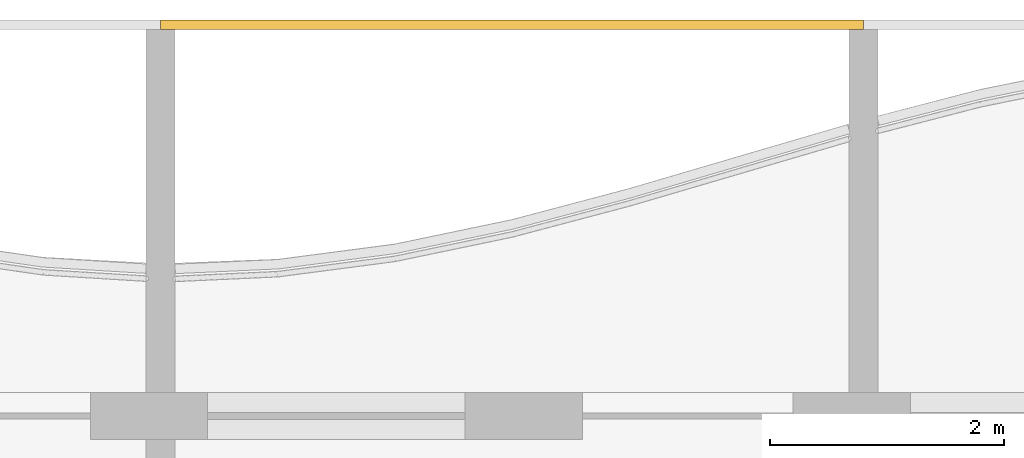
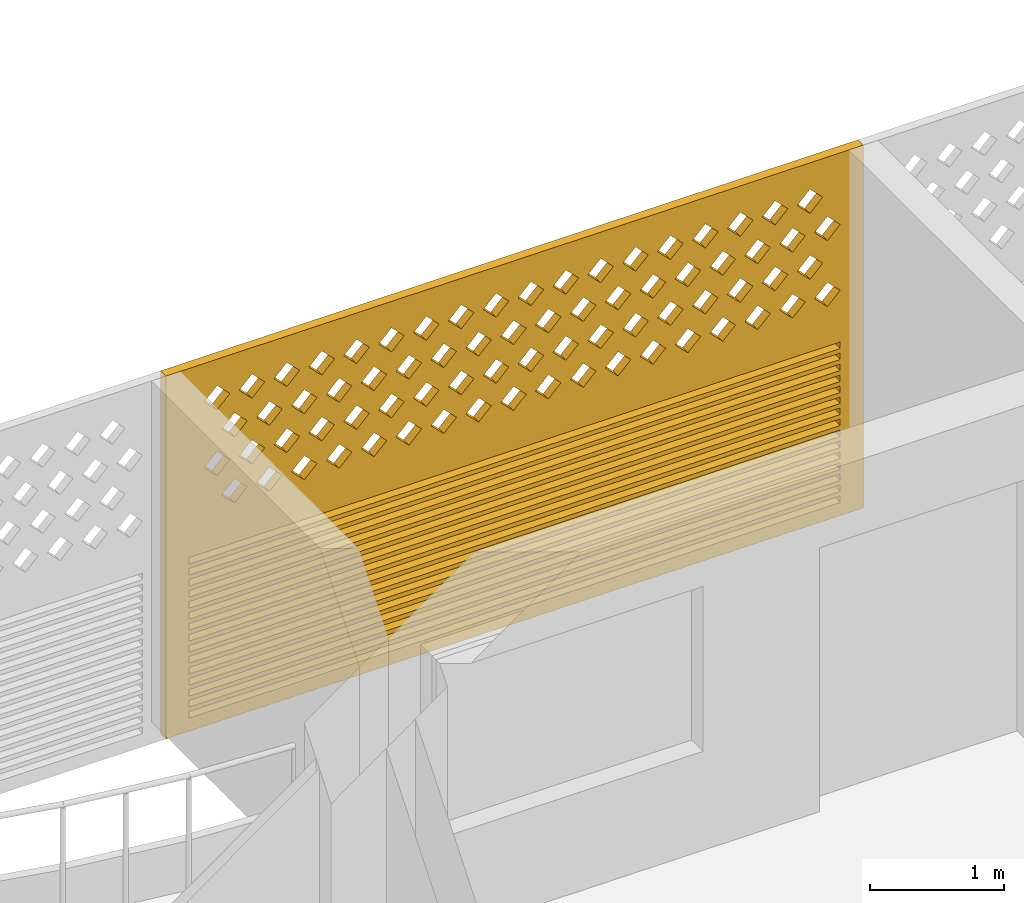
# One storey, part 24 of 26: 1 covering.
"""IFC4 building model written with IfcOpenShell, lengths in metres."""

from ifc_helpers import new_model, si_unit, direction, frame, origin, place, context, subcontext, project, spatial, polyline, outline, extrude, source, transform, mapped, material, material_profile, profile_set, type_object, element, save


model = new_model("IFC4")

# Units and contexts
model_context = context("Model", 3, precision=1e-05, world=origin(), true_north=direction((0.0, 1.0)))
body_context = subcontext(model_context, "Body", "Model", "MODEL_VIEW")
ifc_project = project(units=[si_unit("LENGTHUNIT", "METRE"), si_unit("AREAUNIT", "SQUARE_METRE"), si_unit("VOLUMEUNIT", "CUBIC_METRE"), si_unit("PLANEANGLEUNIT", "RADIAN"), si_unit("MASSUNIT", "GRAM", prefix="KILO")], contexts=[model_context])

# Site, building, storey
site_placement = place(None, origin())
site = spatial("IfcSite", under=ifc_project, at=site_placement, CompositionType="ELEMENT")
building_placement = place(site_placement, origin())
building = spatial("IfcBuilding", under=site, at=building_placement, Name="Poui Terraces", CompositionType="ELEMENT")
storey_placement = place(building_placement, frame((0.0, 0.0, 244.5)))
storey = spatial("IfcBuildingStorey", under=building, at=storey_placement, Name="L68", CompositionType="ELEMENT", Elevation=244.5)

# Covering
ifc_material = material(Name="Terracotta screen", Category="masonry")
ifc_material_profile = material_profile(ifc_material, outline(polyline([(-3.0, -1.64990234375), (3.0, -1.64990234375), (3.0, 1.64990234375), (-3.0, 1.64990234375), (-3.0, -1.64990234375)]), holes=[polyline([(-2.800048828125, 0.39990234375), (-2.68994140625, 0.2900390625), (-2.580078125, 0.39990234375), (-2.68994140625, 0.510009765625), (-2.800048828125, 0.39990234375)]), polyline([(-2.5, 0.39990234375), (-2.389892578125, 0.2900390625), (-2.280029296875, 0.39990234375), (-2.389892578125, 0.510009765625), (-2.5, 0.39990234375)]), polyline([(-2.199951171875, 0.39990234375), (-2.090087890625, 0.2900390625), (-1.97998046875, 0.39990234375), (-2.090087890625, 0.510009765625), (-2.199951171875, 0.39990234375)]), polyline([(-1.89990234375, 0.39990234375), (-1.7900390625, 0.2900390625), (-1.679931640625, 0.39990234375), (-1.7900390625, 0.510009765625), (-1.89990234375, 0.39990234375)]), polyline([(-1.60009765625, 0.39990234375), (-1.489990234375, 0.2900390625), (-1.3798828125, 0.39990234375), (-1.489990234375, 0.510009765625), (-1.60009765625, 0.39990234375)]), polyline([(-1.300048828125, 0.39990234375), (-1.18994140625, 0.2900390625), (-1.080078125, 0.39990234375), (-1.18994140625, 0.510009765625), (-1.300048828125, 0.39990234375)]), polyline([(-1.0, 0.39990234375), (-0.889892578125, 0.2900390625), (-0.780029296875, 0.39990234375), (-0.889892578125, 0.510009765625), (-1.0, 0.39990234375)]), polyline([(-0.699951171875, 0.39990234375), (-0.590087890625, 0.2900390625), (-0.47998046875, 0.39990234375), (-0.590087890625, 0.510009765625), (-0.699951171875, 0.39990234375)]), polyline([(-0.39990234375, 0.39990234375), (-0.2900390625, 0.2900390625), (-0.179931640625, 0.39990234375), (-0.2900390625, 0.510009765625), (-0.39990234375, 0.39990234375)]), polyline([(-0.10009765625, 0.39990234375), (0.010009765625, 0.2900390625), (0.1201171875, 0.39990234375), (0.010009765625, 0.510009765625), (-0.10009765625, 0.39990234375)]), polyline([(0.199951171875, 0.39990234375), (0.31005859375, 0.2900390625), (0.419921875, 0.39990234375), (0.31005859375, 0.510009765625), (0.199951171875, 0.39990234375)]), polyline([(0.5, 0.39990234375), (0.610107421875, 0.2900390625), (0.719970703125, 0.39990234375), (0.610107421875, 0.510009765625), (0.5, 0.39990234375)]), polyline([(0.800048828125, 0.39990234375), (0.909912109375, 0.2900390625), (1.02001953125, 0.39990234375), (0.909912109375, 0.510009765625), (0.800048828125, 0.39990234375)]), polyline([(1.10009765625, 0.39990234375), (1.2099609375, 0.2900390625), (1.320068359375, 0.39990234375), (1.2099609375, 0.510009765625), (1.10009765625, 0.39990234375)]), polyline([(1.39990234375, 0.39990234375), (1.510009765625, 0.2900390625), (1.6201171875, 0.39990234375), (1.510009765625, 0.510009765625), (1.39990234375, 0.39990234375)]), polyline([(1.699951171875, 0.39990234375), (1.81005859375, 0.2900390625), (1.919921875, 0.39990234375), (1.81005859375, 0.510009765625), (1.699951171875, 0.39990234375)]), polyline([(2.0, 0.39990234375), (2.110107421875, 0.2900390625), (2.219970703125, 0.39990234375), (2.110107421875, 0.510009765625), (2.0, 0.39990234375)]), polyline([(2.300048828125, 0.39990234375), (2.409912109375, 0.2900390625), (2.52001953125, 0.39990234375), (2.409912109375, 0.510009765625), (2.300048828125, 0.39990234375)]), polyline([(-2.64990234375, 0.699951171875), (-2.5400390625, 0.590087890625), (-2.429931640625, 0.699951171875), (-2.5400390625, 0.81005859375), (-2.64990234375, 0.699951171875)]), polyline([(-2.35009765625, 0.699951171875), (-2.239990234375, 0.590087890625), (-2.1298828125, 0.699951171875), (-2.239990234375, 0.81005859375), (-2.35009765625, 0.699951171875)]), polyline([(-2.050048828125, 0.699951171875), (-1.93994140625, 0.590087890625), (-1.830078125, 0.699951171875), (-1.93994140625, 0.81005859375), (-2.050048828125, 0.699951171875)]), polyline([(-1.75, 0.699951171875), (-1.639892578125, 0.590087890625), (-1.530029296875, 0.699951171875), (-1.639892578125, 0.81005859375), (-1.75, 0.699951171875)]), polyline([(-1.449951171875, 0.699951171875), (-1.340087890625, 0.590087890625), (-1.22998046875, 0.699951171875), (-1.340087890625, 0.81005859375), (-1.449951171875, 0.699951171875)]), polyline([(-1.14990234375, 0.699951171875), (-1.0400390625, 0.590087890625), (-0.929931640625, 0.699951171875), (-1.0400390625, 0.81005859375), (-1.14990234375, 0.699951171875)]), polyline([(-0.85009765625, 0.699951171875), (-0.739990234375, 0.590087890625), (-0.6298828125, 0.699951171875), (-0.739990234375, 0.81005859375), (-0.85009765625, 0.699951171875)]), polyline([(-0.550048828125, 0.699951171875), (-0.43994140625, 0.590087890625), (-0.330078125, 0.699951171875), (-0.43994140625, 0.81005859375), (-0.550048828125, 0.699951171875)]), polyline([(-0.25, 0.699951171875), (-0.139892578125, 0.590087890625), (-0.030029296875, 0.699951171875), (-0.139892578125, 0.81005859375), (-0.25, 0.699951171875)]), polyline([(0.050048828125, 0.699951171875), (0.159912109375, 0.590087890625), (0.27001953125, 0.699951171875), (0.159912109375, 0.81005859375), (0.050048828125, 0.699951171875)]), polyline([(0.35009765625, 0.699951171875), (0.4599609375, 0.590087890625), (0.570068359375, 0.699951171875), (0.4599609375, 0.81005859375), (0.35009765625, 0.699951171875)]), polyline([(0.64990234375, 0.699951171875), (0.760009765625, 0.590087890625), (0.8701171875, 0.699951171875), (0.760009765625, 0.81005859375), (0.64990234375, 0.699951171875)]), polyline([(0.949951171875, 0.699951171875), (1.06005859375, 0.590087890625), (1.169921875, 0.699951171875), (1.06005859375, 0.81005859375), (0.949951171875, 0.699951171875)]), polyline([(1.25, 0.699951171875), (1.360107421875, 0.590087890625), (1.469970703125, 0.699951171875), (1.360107421875, 0.81005859375), (1.25, 0.699951171875)]), polyline([(1.550048828125, 0.699951171875), (1.659912109375, 0.590087890625), (1.77001953125, 0.699951171875), (1.659912109375, 0.81005859375), (1.550048828125, 0.699951171875)]), polyline([(1.85009765625, 0.699951171875), (1.9599609375, 0.590087890625), (2.070068359375, 0.699951171875), (1.9599609375, 0.81005859375), (1.85009765625, 0.699951171875)]), polyline([(2.14990234375, 0.699951171875), (2.260009765625, 0.590087890625), (2.3701171875, 0.699951171875), (2.260009765625, 0.81005859375), (2.14990234375, 0.699951171875)]), polyline([(2.449951171875, 0.699951171875), (2.56005859375, 0.590087890625), (2.669921875, 0.699951171875), (2.56005859375, 0.81005859375), (2.449951171875, 0.699951171875)]), polyline([(-2.800048828125, 1.0), (-2.68994140625, 0.889892578125), (-2.580078125, 1.0), (-2.68994140625, 1.110107421875), (-2.800048828125, 1.0)]), polyline([(-2.5, 1.0), (-2.389892578125, 0.889892578125), (-2.280029296875, 1.0), (-2.389892578125, 1.110107421875), (-2.5, 1.0)]), polyline([(-2.199951171875, 1.0), (-2.090087890625, 0.889892578125), (-1.97998046875, 1.0), (-2.090087890625, 1.110107421875), (-2.199951171875, 1.0)]), polyline([(-1.89990234375, 1.0), (-1.7900390625, 0.889892578125), (-1.679931640625, 1.0), (-1.7900390625, 1.110107421875), (-1.89990234375, 1.0)]), polyline([(-1.60009765625, 1.0), (-1.489990234375, 0.889892578125), (-1.3798828125, 1.0), (-1.489990234375, 1.110107421875), (-1.60009765625, 1.0)]), polyline([(-1.300048828125, 1.0), (-1.18994140625, 0.889892578125), (-1.080078125, 1.0), (-1.18994140625, 1.110107421875), (-1.300048828125, 1.0)]), polyline([(-1.0, 1.0), (-0.889892578125, 0.889892578125), (-0.780029296875, 1.0), (-0.889892578125, 1.110107421875), (-1.0, 1.0)]), polyline([(-0.699951171875, 1.0), (-0.590087890625, 0.889892578125), (-0.47998046875, 1.0), (-0.590087890625, 1.110107421875), (-0.699951171875, 1.0)]), polyline([(-0.39990234375, 1.0), (-0.2900390625, 0.889892578125), (-0.179931640625, 1.0), (-0.2900390625, 1.110107421875), (-0.39990234375, 1.0)]), polyline([(-0.10009765625, 1.0), (0.010009765625, 0.889892578125), (0.1201171875, 1.0), (0.010009765625, 1.110107421875), (-0.10009765625, 1.0)]), polyline([(0.199951171875, 1.0), (0.31005859375, 0.889892578125), (0.419921875, 1.0), (0.31005859375, 1.110107421875), (0.199951171875, 1.0)]), polyline([(0.5, 1.0), (0.610107421875, 0.889892578125), (0.719970703125, 1.0), (0.610107421875, 1.110107421875), (0.5, 1.0)]), polyline([(0.800048828125, 1.0), (0.909912109375, 0.889892578125), (1.02001953125, 1.0), (0.909912109375, 1.110107421875), (0.800048828125, 1.0)]), polyline([(1.10009765625, 1.0), (1.2099609375, 0.889892578125), (1.320068359375, 1.0), (1.2099609375, 1.110107421875), (1.10009765625, 1.0)]), polyline([(1.39990234375, 1.0), (1.510009765625, 0.889892578125), (1.6201171875, 1.0), (1.510009765625, 1.110107421875), (1.39990234375, 1.0)]), polyline([(1.699951171875, 1.0), (1.81005859375, 0.889892578125), (1.919921875, 1.0), (1.81005859375, 1.110107421875), (1.699951171875, 1.0)]), polyline([(2.0, 1.0), (2.110107421875, 0.889892578125), (2.219970703125, 1.0), (2.110107421875, 1.110107421875), (2.0, 1.0)]), polyline([(2.300048828125, 1.0), (2.409912109375, 0.889892578125), (2.52001953125, 1.0), (2.409912109375, 1.110107421875), (2.300048828125, 1.0)]), polyline([(-2.64990234375, 1.300048828125), (-2.5400390625, 1.18994140625), (-2.429931640625, 1.300048828125), (-2.5400390625, 1.409912109375), (-2.64990234375, 1.300048828125)]), polyline([(-2.35009765625, 1.300048828125), (-2.239990234375, 1.18994140625), (-2.1298828125, 1.300048828125), (-2.239990234375, 1.409912109375), (-2.35009765625, 1.300048828125)]), polyline([(-2.050048828125, 1.300048828125), (-1.93994140625, 1.18994140625), (-1.830078125, 1.300048828125), (-1.93994140625, 1.409912109375), (-2.050048828125, 1.300048828125)]), polyline([(-1.75, 1.300048828125), (-1.639892578125, 1.18994140625), (-1.530029296875, 1.300048828125), (-1.639892578125, 1.409912109375), (-1.75, 1.300048828125)]), polyline([(-1.449951171875, 1.300048828125), (-1.340087890625, 1.18994140625), (-1.22998046875, 1.300048828125), (-1.340087890625, 1.409912109375), (-1.449951171875, 1.300048828125)]), polyline([(-1.14990234375, 1.300048828125), (-1.0400390625, 1.18994140625), (-0.929931640625, 1.300048828125), (-1.0400390625, 1.409912109375), (-1.14990234375, 1.300048828125)]), polyline([(-0.85009765625, 1.300048828125), (-0.739990234375, 1.18994140625), (-0.6298828125, 1.300048828125), (-0.739990234375, 1.409912109375), (-0.85009765625, 1.300048828125)]), polyline([(-0.550048828125, 1.300048828125), (-0.43994140625, 1.18994140625), (-0.330078125, 1.300048828125), (-0.43994140625, 1.409912109375), (-0.550048828125, 1.300048828125)]), polyline([(-0.25, 1.300048828125), (-0.139892578125, 1.18994140625), (-0.030029296875, 1.300048828125), (-0.139892578125, 1.409912109375), (-0.25, 1.300048828125)]), polyline([(0.050048828125, 1.300048828125), (0.159912109375, 1.18994140625), (0.27001953125, 1.300048828125), (0.159912109375, 1.409912109375), (0.050048828125, 1.300048828125)]), polyline([(0.35009765625, 1.300048828125), (0.4599609375, 1.18994140625), (0.570068359375, 1.300048828125), (0.4599609375, 1.409912109375), (0.35009765625, 1.300048828125)]), polyline([(0.64990234375, 1.300048828125), (0.760009765625, 1.18994140625), (0.8701171875, 1.300048828125), (0.760009765625, 1.409912109375), (0.64990234375, 1.300048828125)]), polyline([(0.949951171875, 1.300048828125), (1.06005859375, 1.18994140625), (1.169921875, 1.300048828125), (1.06005859375, 1.409912109375), (0.949951171875, 1.300048828125)]), polyline([(1.25, 1.300048828125), (1.360107421875, 1.18994140625), (1.469970703125, 1.300048828125), (1.360107421875, 1.409912109375), (1.25, 1.300048828125)]), polyline([(1.550048828125, 1.300048828125), (1.659912109375, 1.18994140625), (1.77001953125, 1.300048828125), (1.659912109375, 1.409912109375), (1.550048828125, 1.300048828125)]), polyline([(1.85009765625, 1.300048828125), (1.9599609375, 1.18994140625), (2.070068359375, 1.300048828125), (1.9599609375, 1.409912109375), (1.85009765625, 1.300048828125)]), polyline([(2.14990234375, 1.300048828125), (2.260009765625, 1.18994140625), (2.3701171875, 1.300048828125), (2.260009765625, 1.409912109375), (2.14990234375, 1.300048828125)]), polyline([(2.449951171875, 1.300048828125), (2.56005859375, 1.18994140625), (2.669921875, 1.300048828125), (2.56005859375, 1.409912109375), (2.449951171875, 1.300048828125)]), polyline([(-2.800048828125, -1.530029296875), (2.800048828125, -1.530029296875), (2.800048828125, -1.469970703125), (-2.800048828125, -1.469970703125), (-2.800048828125, -1.530029296875)]), polyline([(-2.800048828125, -1.429931640625), (2.800048828125, -1.429931640625), (2.800048828125, -1.3701171875), (-2.800048828125, -1.3701171875), (-2.800048828125, -1.429931640625)]), polyline([(-2.800048828125, -1.330078125), (2.800048828125, -1.330078125), (2.800048828125, -1.27001953125), (-2.800048828125, -1.27001953125), (-2.800048828125, -1.330078125)]), polyline([(-2.800048828125, -1.22998046875), (2.800048828125, -1.22998046875), (2.800048828125, -1.169921875), (-2.800048828125, -1.169921875), (-2.800048828125, -1.22998046875)]), polyline([(-2.800048828125, -1.1298828125), (2.800048828125, -1.1298828125), (2.800048828125, -1.070068359375), (-2.800048828125, -1.070068359375), (-2.800048828125, -1.1298828125)]), polyline([(-2.800048828125, -1.030029296875), (2.800048828125, -1.030029296875), (2.800048828125, -0.969970703125), (-2.800048828125, -0.969970703125), (-2.800048828125, -1.030029296875)]), polyline([(-2.800048828125, -0.929931640625), (2.800048828125, -0.929931640625), (2.800048828125, -0.8701171875), (-2.800048828125, -0.8701171875), (-2.800048828125, -0.929931640625)]), polyline([(-2.800048828125, -0.830078125), (2.800048828125, -0.830078125), (2.800048828125, -0.77001953125), (-2.800048828125, -0.77001953125), (-2.800048828125, -0.830078125)]), polyline([(-2.800048828125, -0.72998046875), (2.800048828125, -0.72998046875), (2.800048828125, -0.669921875), (-2.800048828125, -0.669921875), (-2.800048828125, -0.72998046875)]), polyline([(-2.800048828125, -0.6298828125), (2.800048828125, -0.6298828125), (2.800048828125, -0.570068359375), (-2.800048828125, -0.570068359375), (-2.800048828125, -0.6298828125)]), polyline([(-2.800048828125, -0.530029296875), (2.800048828125, -0.530029296875), (2.800048828125, -0.469970703125), (-2.800048828125, -0.469970703125), (-2.800048828125, -0.530029296875)]), polyline([(-2.800048828125, -0.429931640625), (2.800048828125, -0.429931640625), (2.800048828125, -0.3701171875), (-2.800048828125, -0.3701171875), (-2.800048828125, -0.429931640625)]), polyline([(-2.800048828125, -0.330078125), (2.800048828125, -0.330078125), (2.800048828125, -0.27001953125), (-2.800048828125, -0.27001953125), (-2.800048828125, -0.330078125)]), polyline([(-2.800048828125, -0.22998046875), (2.800048828125, -0.22998046875), (2.800048828125, -0.169921875), (-2.800048828125, -0.169921875), (-2.800048828125, -0.22998046875)]), polyline([(-2.800048828125, -0.1298828125), (2.800048828125, -0.1298828125), (2.800048828125, -0.070068359375), (-2.800048828125, -0.070068359375), (-2.800048828125, -0.1298828125)])]), Name="TERRACOTTA SCREEN AND JALOUSIE LOUVRE 6000X3300")
ifc_profile_set = profile_set([ifc_material_profile], Name="Terracotta screen")
covering_type = type_object("IfcCoveringType", Name="TERRACOTTA SCREEN AND JALOUSIE LOUVRE 6000X3300", PredefinedType="CLADDING", material=ifc_profile_set)
shared_shape = source(origin(), body_context, "Body", "SweptSolid", [
    extrude(outline(polyline([(-3.0, -1.64990234375), (3.0, -1.64990234375), (3.0, 1.64990234375), (-3.0, 1.64990234375), (-3.0, -1.64990234375)]), holes=[polyline([(-2.800048828125, 0.39990234375), (-2.68994140625, 0.2900390625), (-2.580078125, 0.39990234375), (-2.68994140625, 0.510009765625), (-2.800048828125, 0.39990234375)]), polyline([(-2.5, 0.39990234375), (-2.389892578125, 0.2900390625), (-2.280029296875, 0.39990234375), (-2.389892578125, 0.510009765625), (-2.5, 0.39990234375)]), polyline([(-2.199951171875, 0.39990234375), (-2.090087890625, 0.2900390625), (-1.97998046875, 0.39990234375), (-2.090087890625, 0.510009765625), (-2.199951171875, 0.39990234375)]), polyline([(-1.89990234375, 0.39990234375), (-1.7900390625, 0.2900390625), (-1.679931640625, 0.39990234375), (-1.7900390625, 0.510009765625), (-1.89990234375, 0.39990234375)]), polyline([(-1.60009765625, 0.39990234375), (-1.489990234375, 0.2900390625), (-1.3798828125, 0.39990234375), (-1.489990234375, 0.510009765625), (-1.60009765625, 0.39990234375)]), polyline([(-1.300048828125, 0.39990234375), (-1.18994140625, 0.2900390625), (-1.080078125, 0.39990234375), (-1.18994140625, 0.510009765625), (-1.300048828125, 0.39990234375)]), polyline([(-1.0, 0.39990234375), (-0.889892578125, 0.2900390625), (-0.780029296875, 0.39990234375), (-0.889892578125, 0.510009765625), (-1.0, 0.39990234375)]), polyline([(-0.699951171875, 0.39990234375), (-0.590087890625, 0.2900390625), (-0.47998046875, 0.39990234375), (-0.590087890625, 0.510009765625), (-0.699951171875, 0.39990234375)]), polyline([(-0.39990234375, 0.39990234375), (-0.2900390625, 0.2900390625), (-0.179931640625, 0.39990234375), (-0.2900390625, 0.510009765625), (-0.39990234375, 0.39990234375)]), polyline([(-0.10009765625, 0.39990234375), (0.010009765625, 0.2900390625), (0.1201171875, 0.39990234375), (0.010009765625, 0.510009765625), (-0.10009765625, 0.39990234375)]), polyline([(0.199951171875, 0.39990234375), (0.31005859375, 0.2900390625), (0.419921875, 0.39990234375), (0.31005859375, 0.510009765625), (0.199951171875, 0.39990234375)]), polyline([(0.5, 0.39990234375), (0.610107421875, 0.2900390625), (0.719970703125, 0.39990234375), (0.610107421875, 0.510009765625), (0.5, 0.39990234375)]), polyline([(0.800048828125, 0.39990234375), (0.909912109375, 0.2900390625), (1.02001953125, 0.39990234375), (0.909912109375, 0.510009765625), (0.800048828125, 0.39990234375)]), polyline([(1.10009765625, 0.39990234375), (1.2099609375, 0.2900390625), (1.320068359375, 0.39990234375), (1.2099609375, 0.510009765625), (1.10009765625, 0.39990234375)]), polyline([(1.39990234375, 0.39990234375), (1.510009765625, 0.2900390625), (1.6201171875, 0.39990234375), (1.510009765625, 0.510009765625), (1.39990234375, 0.39990234375)]), polyline([(1.699951171875, 0.39990234375), (1.81005859375, 0.2900390625), (1.919921875, 0.39990234375), (1.81005859375, 0.510009765625), (1.699951171875, 0.39990234375)]), polyline([(2.0, 0.39990234375), (2.110107421875, 0.2900390625), (2.219970703125, 0.39990234375), (2.110107421875, 0.510009765625), (2.0, 0.39990234375)]), polyline([(2.300048828125, 0.39990234375), (2.409912109375, 0.2900390625), (2.52001953125, 0.39990234375), (2.409912109375, 0.510009765625), (2.300048828125, 0.39990234375)]), polyline([(-2.64990234375, 0.699951171875), (-2.5400390625, 0.590087890625), (-2.429931640625, 0.699951171875), (-2.5400390625, 0.81005859375), (-2.64990234375, 0.699951171875)]), polyline([(-2.35009765625, 0.699951171875), (-2.239990234375, 0.590087890625), (-2.1298828125, 0.699951171875), (-2.239990234375, 0.81005859375), (-2.35009765625, 0.699951171875)]), polyline([(-2.050048828125, 0.699951171875), (-1.93994140625, 0.590087890625), (-1.830078125, 0.699951171875), (-1.93994140625, 0.81005859375), (-2.050048828125, 0.699951171875)]), polyline([(-1.75, 0.699951171875), (-1.639892578125, 0.590087890625), (-1.530029296875, 0.699951171875), (-1.639892578125, 0.81005859375), (-1.75, 0.699951171875)]), polyline([(-1.449951171875, 0.699951171875), (-1.340087890625, 0.590087890625), (-1.22998046875, 0.699951171875), (-1.340087890625, 0.81005859375), (-1.449951171875, 0.699951171875)]), polyline([(-1.14990234375, 0.699951171875), (-1.0400390625, 0.590087890625), (-0.929931640625, 0.699951171875), (-1.0400390625, 0.81005859375), (-1.14990234375, 0.699951171875)]), polyline([(-0.85009765625, 0.699951171875), (-0.739990234375, 0.590087890625), (-0.6298828125, 0.699951171875), (-0.739990234375, 0.81005859375), (-0.85009765625, 0.699951171875)]), polyline([(-0.550048828125, 0.699951171875), (-0.43994140625, 0.590087890625), (-0.330078125, 0.699951171875), (-0.43994140625, 0.81005859375), (-0.550048828125, 0.699951171875)]), polyline([(-0.25, 0.699951171875), (-0.139892578125, 0.590087890625), (-0.030029296875, 0.699951171875), (-0.139892578125, 0.81005859375), (-0.25, 0.699951171875)]), polyline([(0.050048828125, 0.699951171875), (0.159912109375, 0.590087890625), (0.27001953125, 0.699951171875), (0.159912109375, 0.81005859375), (0.050048828125, 0.699951171875)]), polyline([(0.35009765625, 0.699951171875), (0.4599609375, 0.590087890625), (0.570068359375, 0.699951171875), (0.4599609375, 0.81005859375), (0.35009765625, 0.699951171875)]), polyline([(0.64990234375, 0.699951171875), (0.760009765625, 0.590087890625), (0.8701171875, 0.699951171875), (0.760009765625, 0.81005859375), (0.64990234375, 0.699951171875)]), polyline([(0.949951171875, 0.699951171875), (1.06005859375, 0.590087890625), (1.169921875, 0.699951171875), (1.06005859375, 0.81005859375), (0.949951171875, 0.699951171875)]), polyline([(1.25, 0.699951171875), (1.360107421875, 0.590087890625), (1.469970703125, 0.699951171875), (1.360107421875, 0.81005859375), (1.25, 0.699951171875)]), polyline([(1.550048828125, 0.699951171875), (1.659912109375, 0.590087890625), (1.77001953125, 0.699951171875), (1.659912109375, 0.81005859375), (1.550048828125, 0.699951171875)]), polyline([(1.85009765625, 0.699951171875), (1.9599609375, 0.590087890625), (2.070068359375, 0.699951171875), (1.9599609375, 0.81005859375), (1.85009765625, 0.699951171875)]), polyline([(2.14990234375, 0.699951171875), (2.260009765625, 0.590087890625), (2.3701171875, 0.699951171875), (2.260009765625, 0.81005859375), (2.14990234375, 0.699951171875)]), polyline([(2.449951171875, 0.699951171875), (2.56005859375, 0.590087890625), (2.669921875, 0.699951171875), (2.56005859375, 0.81005859375), (2.449951171875, 0.699951171875)]), polyline([(-2.800048828125, 1.0), (-2.68994140625, 0.889892578125), (-2.580078125, 1.0), (-2.68994140625, 1.110107421875), (-2.800048828125, 1.0)]), polyline([(-2.5, 1.0), (-2.389892578125, 0.889892578125), (-2.280029296875, 1.0), (-2.389892578125, 1.110107421875), (-2.5, 1.0)]), polyline([(-2.199951171875, 1.0), (-2.090087890625, 0.889892578125), (-1.97998046875, 1.0), (-2.090087890625, 1.110107421875), (-2.199951171875, 1.0)]), polyline([(-1.89990234375, 1.0), (-1.7900390625, 0.889892578125), (-1.679931640625, 1.0), (-1.7900390625, 1.110107421875), (-1.89990234375, 1.0)]), polyline([(-1.60009765625, 1.0), (-1.489990234375, 0.889892578125), (-1.3798828125, 1.0), (-1.489990234375, 1.110107421875), (-1.60009765625, 1.0)]), polyline([(-1.300048828125, 1.0), (-1.18994140625, 0.889892578125), (-1.080078125, 1.0), (-1.18994140625, 1.110107421875), (-1.300048828125, 1.0)]), polyline([(-1.0, 1.0), (-0.889892578125, 0.889892578125), (-0.780029296875, 1.0), (-0.889892578125, 1.110107421875), (-1.0, 1.0)]), polyline([(-0.699951171875, 1.0), (-0.590087890625, 0.889892578125), (-0.47998046875, 1.0), (-0.590087890625, 1.110107421875), (-0.699951171875, 1.0)]), polyline([(-0.39990234375, 1.0), (-0.2900390625, 0.889892578125), (-0.179931640625, 1.0), (-0.2900390625, 1.110107421875), (-0.39990234375, 1.0)]), polyline([(-0.10009765625, 1.0), (0.010009765625, 0.889892578125), (0.1201171875, 1.0), (0.010009765625, 1.110107421875), (-0.10009765625, 1.0)]), polyline([(0.199951171875, 1.0), (0.31005859375, 0.889892578125), (0.419921875, 1.0), (0.31005859375, 1.110107421875), (0.199951171875, 1.0)]), polyline([(0.5, 1.0), (0.610107421875, 0.889892578125), (0.719970703125, 1.0), (0.610107421875, 1.110107421875), (0.5, 1.0)]), polyline([(0.800048828125, 1.0), (0.909912109375, 0.889892578125), (1.02001953125, 1.0), (0.909912109375, 1.110107421875), (0.800048828125, 1.0)]), polyline([(1.10009765625, 1.0), (1.2099609375, 0.889892578125), (1.320068359375, 1.0), (1.2099609375, 1.110107421875), (1.10009765625, 1.0)]), polyline([(1.39990234375, 1.0), (1.510009765625, 0.889892578125), (1.6201171875, 1.0), (1.510009765625, 1.110107421875), (1.39990234375, 1.0)]), polyline([(1.699951171875, 1.0), (1.81005859375, 0.889892578125), (1.919921875, 1.0), (1.81005859375, 1.110107421875), (1.699951171875, 1.0)]), polyline([(2.0, 1.0), (2.110107421875, 0.889892578125), (2.219970703125, 1.0), (2.110107421875, 1.110107421875), (2.0, 1.0)]), polyline([(2.300048828125, 1.0), (2.409912109375, 0.889892578125), (2.52001953125, 1.0), (2.409912109375, 1.110107421875), (2.300048828125, 1.0)]), polyline([(-2.64990234375, 1.300048828125), (-2.5400390625, 1.18994140625), (-2.429931640625, 1.300048828125), (-2.5400390625, 1.409912109375), (-2.64990234375, 1.300048828125)]), polyline([(-2.35009765625, 1.300048828125), (-2.239990234375, 1.18994140625), (-2.1298828125, 1.300048828125), (-2.239990234375, 1.409912109375), (-2.35009765625, 1.300048828125)]), polyline([(-2.050048828125, 1.300048828125), (-1.93994140625, 1.18994140625), (-1.830078125, 1.300048828125), (-1.93994140625, 1.409912109375), (-2.050048828125, 1.300048828125)]), polyline([(-1.75, 1.300048828125), (-1.639892578125, 1.18994140625), (-1.530029296875, 1.300048828125), (-1.639892578125, 1.409912109375), (-1.75, 1.300048828125)]), polyline([(-1.449951171875, 1.300048828125), (-1.340087890625, 1.18994140625), (-1.22998046875, 1.300048828125), (-1.340087890625, 1.409912109375), (-1.449951171875, 1.300048828125)]), polyline([(-1.14990234375, 1.300048828125), (-1.0400390625, 1.18994140625), (-0.929931640625, 1.300048828125), (-1.0400390625, 1.409912109375), (-1.14990234375, 1.300048828125)]), polyline([(-0.85009765625, 1.300048828125), (-0.739990234375, 1.18994140625), (-0.6298828125, 1.300048828125), (-0.739990234375, 1.409912109375), (-0.85009765625, 1.300048828125)]), polyline([(-0.550048828125, 1.300048828125), (-0.43994140625, 1.18994140625), (-0.330078125, 1.300048828125), (-0.43994140625, 1.409912109375), (-0.550048828125, 1.300048828125)]), polyline([(-0.25, 1.300048828125), (-0.139892578125, 1.18994140625), (-0.030029296875, 1.300048828125), (-0.139892578125, 1.409912109375), (-0.25, 1.300048828125)]), polyline([(0.050048828125, 1.300048828125), (0.159912109375, 1.18994140625), (0.27001953125, 1.300048828125), (0.159912109375, 1.409912109375), (0.050048828125, 1.300048828125)]), polyline([(0.35009765625, 1.300048828125), (0.4599609375, 1.18994140625), (0.570068359375, 1.300048828125), (0.4599609375, 1.409912109375), (0.35009765625, 1.300048828125)]), polyline([(0.64990234375, 1.300048828125), (0.760009765625, 1.18994140625), (0.8701171875, 1.300048828125), (0.760009765625, 1.409912109375), (0.64990234375, 1.300048828125)]), polyline([(0.949951171875, 1.300048828125), (1.06005859375, 1.18994140625), (1.169921875, 1.300048828125), (1.06005859375, 1.409912109375), (0.949951171875, 1.300048828125)]), polyline([(1.25, 1.300048828125), (1.360107421875, 1.18994140625), (1.469970703125, 1.300048828125), (1.360107421875, 1.409912109375), (1.25, 1.300048828125)]), polyline([(1.550048828125, 1.300048828125), (1.659912109375, 1.18994140625), (1.77001953125, 1.300048828125), (1.659912109375, 1.409912109375), (1.550048828125, 1.300048828125)]), polyline([(1.85009765625, 1.300048828125), (1.9599609375, 1.18994140625), (2.070068359375, 1.300048828125), (1.9599609375, 1.409912109375), (1.85009765625, 1.300048828125)]), polyline([(2.14990234375, 1.300048828125), (2.260009765625, 1.18994140625), (2.3701171875, 1.300048828125), (2.260009765625, 1.409912109375), (2.14990234375, 1.300048828125)]), polyline([(2.449951171875, 1.300048828125), (2.56005859375, 1.18994140625), (2.669921875, 1.300048828125), (2.56005859375, 1.409912109375), (2.449951171875, 1.300048828125)]), polyline([(-2.800048828125, -1.530029296875), (2.800048828125, -1.530029296875), (2.800048828125, -1.469970703125), (-2.800048828125, -1.469970703125), (-2.800048828125, -1.530029296875)]), polyline([(-2.800048828125, -1.429931640625), (2.800048828125, -1.429931640625), (2.800048828125, -1.3701171875), (-2.800048828125, -1.3701171875), (-2.800048828125, -1.429931640625)]), polyline([(-2.800048828125, -1.330078125), (2.800048828125, -1.330078125), (2.800048828125, -1.27001953125), (-2.800048828125, -1.27001953125), (-2.800048828125, -1.330078125)]), polyline([(-2.800048828125, -1.22998046875), (2.800048828125, -1.22998046875), (2.800048828125, -1.169921875), (-2.800048828125, -1.169921875), (-2.800048828125, -1.22998046875)]), polyline([(-2.800048828125, -1.1298828125), (2.800048828125, -1.1298828125), (2.800048828125, -1.070068359375), (-2.800048828125, -1.070068359375), (-2.800048828125, -1.1298828125)]), polyline([(-2.800048828125, -1.030029296875), (2.800048828125, -1.030029296875), (2.800048828125, -0.969970703125), (-2.800048828125, -0.969970703125), (-2.800048828125, -1.030029296875)]), polyline([(-2.800048828125, -0.929931640625), (2.800048828125, -0.929931640625), (2.800048828125, -0.8701171875), (-2.800048828125, -0.8701171875), (-2.800048828125, -0.929931640625)]), polyline([(-2.800048828125, -0.830078125), (2.800048828125, -0.830078125), (2.800048828125, -0.77001953125), (-2.800048828125, -0.77001953125), (-2.800048828125, -0.830078125)]), polyline([(-2.800048828125, -0.72998046875), (2.800048828125, -0.72998046875), (2.800048828125, -0.669921875), (-2.800048828125, -0.669921875), (-2.800048828125, -0.72998046875)]), polyline([(-2.800048828125, -0.6298828125), (2.800048828125, -0.6298828125), (2.800048828125, -0.570068359375), (-2.800048828125, -0.570068359375), (-2.800048828125, -0.6298828125)]), polyline([(-2.800048828125, -0.530029296875), (2.800048828125, -0.530029296875), (2.800048828125, -0.469970703125), (-2.800048828125, -0.469970703125), (-2.800048828125, -0.530029296875)]), polyline([(-2.800048828125, -0.429931640625), (2.800048828125, -0.429931640625), (2.800048828125, -0.3701171875), (-2.800048828125, -0.3701171875), (-2.800048828125, -0.429931640625)]), polyline([(-2.800048828125, -0.330078125), (2.800048828125, -0.330078125), (2.800048828125, -0.27001953125), (-2.800048828125, -0.27001953125), (-2.800048828125, -0.330078125)]), polyline([(-2.800048828125, -0.22998046875), (2.800048828125, -0.22998046875), (2.800048828125, -0.169921875), (-2.800048828125, -0.169921875), (-2.800048828125, -0.22998046875)]), polyline([(-2.800048828125, -0.1298828125), (2.800048828125, -0.1298828125), (2.800048828125, -0.070068359375), (-2.800048828125, -0.070068359375), (-2.800048828125, -0.1298828125)])]), origin(), (0.0, 0.0, 1.0), 0.080078125),
])
covering_placement = place(storey_placement, frame((69.0, 44.5, 1.449951171875), z_axis=(0.0, 1.0, 0.0), x_axis=(-1.0, 0.0, 0.0)))
element("IfcCovering", 1, at=covering_placement, inside=storey, type_object=covering_type, Name="SOLAR SCREEN AND JALOUSIE LOUVRE", PredefinedType="CLADDING", context=body_context, shape_type="MappedRepresentation", body=[
    mapped(shared_shape, transform((0.0, 0.0, 0.0))),
])

save(model, "model.ifc")
